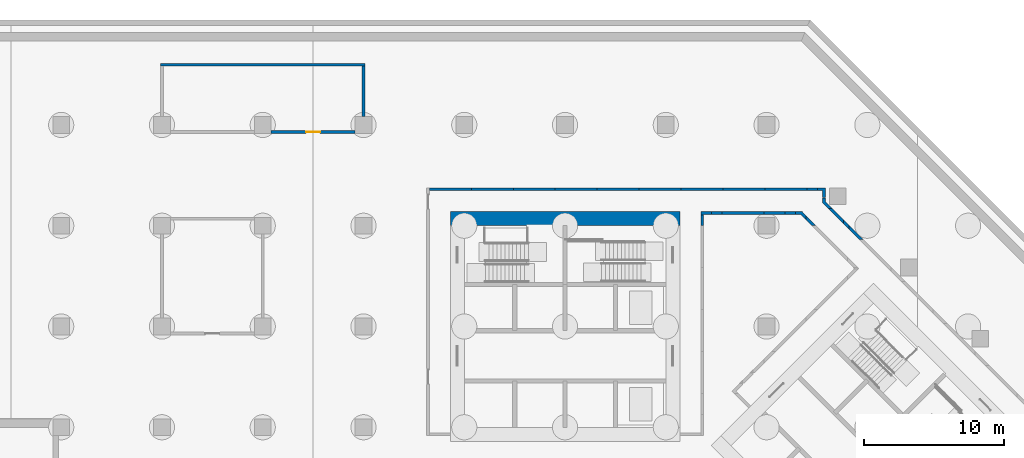
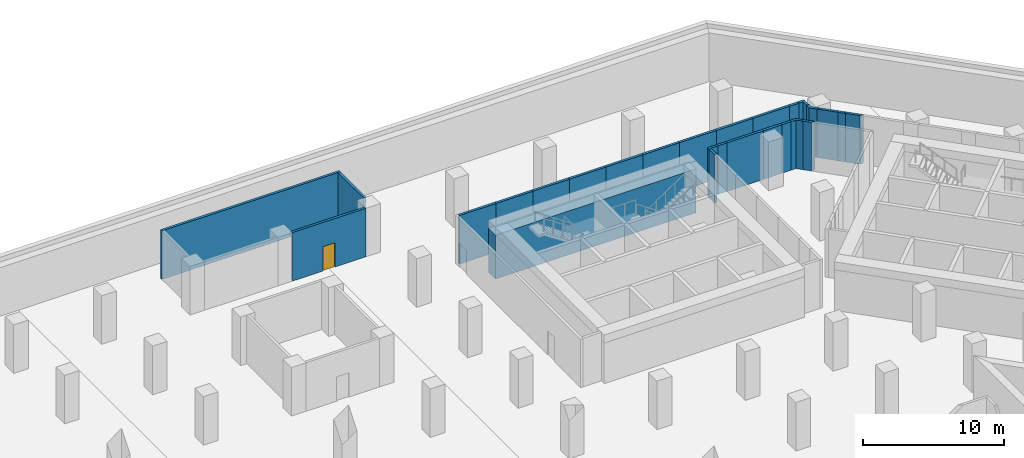
# One storey, part 9 of 12: 27 walls, 1 door, 1 opening.
"""IFC4 building model written with IfcOpenShell, lengths in metres."""

from ifc_helpers import new_model, si_unit, direction, frame, frame_2d, origin, place, context, subcontext, project, spatial, polyline, rectangle, outline, extrude, material, layer, layer_set, type_object, element, fill, save


model = new_model("IFC4")

# Units and contexts
model_context = context("Model", 3, precision=1e-05, world=origin(), true_north=direction((0.0, 1.0)))
body_context = subcontext(model_context, "Body", "Model", "MODEL_VIEW")
ifc_project = project(units=[si_unit("LENGTHUNIT", "METRE"), si_unit("AREAUNIT", "SQUARE_METRE"), si_unit("VOLUMEUNIT", "CUBIC_METRE"), si_unit("PLANEANGLEUNIT", "RADIAN"), si_unit("MASSUNIT", "GRAM", prefix="KILO")], contexts=[model_context])

# Site, building, storey
site_placement = place(None, origin())
site = spatial("IfcSite", under=ifc_project, at=site_placement, CompositionType="ELEMENT")
building_placement = place(site_placement, origin())
building = spatial("IfcBuilding", under=site, at=building_placement, Name="Windrow Commons", CompositionType="ELEMENT")
storey_placement = place(building_placement, frame((0.0, 0.0, -9.0)))
storey = spatial("IfcBuildingStorey", under=building, at=storey_placement, Name="B2", CompositionType="ELEMENT", Elevation=-9.0)

# Walls
ifc_material_1 = material(Name="Blockwork partition", Category="masonry")
ifc_layer_1 = layer(ifc_material_1, 0.2)
ifc_layer_set_1 = layer_set([ifc_layer_1], Name="CP-PART-200")
wall_type_1 = type_object("IfcWallType", Name="CP-PART-200", PredefinedType="PARTITIONING", material=ifc_layer_set_1)
placement = place(storey_placement, origin())
element("IfcWall", 1, at=placement, inside=storey, type_object=wall_type_1, Name="Escape corridor wall 01", PredefinedType="PARTITIONING", context=body_context, shape_type="SweptSolid", body=[
    extrude(outline(polyline([(55.1, 67.3), (58.1, 67.3), (58.1, 67.5), (55.1, 67.5), (55.1, 67.3)])), origin(), (0.0, 0.0, 1.0), 4.2),
])
element("IfcWall", 2, at=placement, inside=storey, type_object=wall_type_1, Name="Escape corridor wall 02", PredefinedType="PARTITIONING", context=body_context, shape_type="SweptSolid", body=[
    extrude(outline(polyline([(58.1, 67.3), (61.1, 67.3), (61.1, 67.5), (58.1, 67.5), (58.1, 67.3)])), origin(), (0.0, 0.0, 1.0), 4.2),
])
element("IfcWall", 3, at=placement, inside=storey, type_object=wall_type_1, Name="Escape corridor wall 03", PredefinedType="PARTITIONING", context=body_context, shape_type="SweptSolid", body=[
    extrude(outline(polyline([(61.1, 67.3), (64.1, 67.3), (64.1, 67.5), (61.1, 67.5), (61.1, 67.3)])), origin(), (0.0, 0.0, 1.0), 4.2),
])
element("IfcWall", 4, at=placement, inside=storey, type_object=wall_type_1, Name="Escape corridor wall 04", PredefinedType="PARTITIONING", context=body_context, shape_type="SweptSolid", body=[
    extrude(outline(polyline([(64.1, 67.3), (67.1, 67.3), (67.1, 67.5), (64.1, 67.5), (64.1, 67.3)])), origin(), (0.0, 0.0, 1.0), 4.2),
])
element("IfcWall", 5, at=placement, inside=storey, type_object=wall_type_1, Name="Escape corridor wall 05", PredefinedType="PARTITIONING", context=body_context, shape_type="SweptSolid", body=[
    extrude(outline(polyline([(67.1, 67.3), (70.1, 67.3), (70.1, 67.5), (67.1, 67.5), (67.1, 67.3)])), origin(), (0.0, 0.0, 1.0), 4.2),
])
element("IfcWall", 6, at=placement, inside=storey, type_object=wall_type_1, Name="Escape corridor wall 06", PredefinedType="PARTITIONING", context=body_context, shape_type="SweptSolid", body=[
    extrude(outline(polyline([(73.1, 67.3), (73.1, 67.5), (70.1, 67.5), (70.1, 67.3), (73.1, 67.3)])), origin(), (0.0, 0.0, 1.0), 4.2),
])
element("IfcWall", 7, at=placement, inside=storey, type_object=wall_type_1, Name="Escape corridor wall 14", PredefinedType="PARTITIONING", context=body_context, shape_type="SweptSolid", body=[
    extrude(outline(polyline([(74.7, 64.8), (74.7, 65.55), (74.5, 65.55), (74.5, 64.8), (74.7, 64.8)])), origin(), (0.0, 0.0, 1.0), 4.2),
])
element("IfcWall", 8, at=placement, inside=storey, type_object=wall_type_1, Name="Escape corridor wall 15", PredefinedType="PARTITIONING", context=body_context, shape_type="SweptSolid", body=[
    extrude(outline(polyline([(76.1, 67.3), (76.1, 67.5), (73.1, 67.5), (73.1, 67.3), (76.1, 67.3)])), origin(), (0.0, 0.0, 1.0), 4.2),
])
element("IfcWall", 9, at=placement, inside=storey, type_object=wall_type_1, Name="Escape corridor wall 16", PredefinedType="PARTITIONING", context=body_context, shape_type="SweptSolid", body=[
    extrude(outline(polyline([(74.7, 65.6), (75.25, 65.6), (75.25, 65.8), (74.5, 65.8), (74.5, 65.55), (74.7, 65.55), (74.7, 65.6)])), origin(), (0.0, 0.0, 1.0), 4.2),
])
element("IfcWall", 10, at=placement, inside=storey, type_object=wall_type_1, Name="Escape corridor wall 17", PredefinedType="PARTITIONING", context=body_context, shape_type="SweptSolid", body=[
    extrude(outline(polyline([(76.0, 65.6), (76.0, 65.8), (75.25, 65.8), (75.25, 65.6), (76.0, 65.6)])), origin(), (0.0, 0.0, 1.0), 4.2),
])
element("IfcWall", 11, at=placement, inside=storey, type_object=wall_type_1, Name="Escape corridor wall 21", PredefinedType="PARTITIONING", context=body_context, shape_type="SweptSolid", body=[
    extrude(outline(polyline([(79.0, 65.8), (76.0, 65.8), (76.0, 65.6), (79.0, 65.6), (79.0, 65.8)])), origin(), (0.0, 0.0, 1.0), 4.2),
])
element("IfcWall", 12, at=placement, inside=storey, type_object=wall_type_1, Name="Escape corridor wall 22", PredefinedType="PARTITIONING", context=body_context, shape_type="SweptSolid", body=[
    extrude(outline(polyline([(76.1, 67.3), (79.1, 67.3), (79.1, 67.5), (76.1, 67.5), (76.1, 67.3)])), origin(), (0.0, 0.0, 1.0), 4.2),
])
element("IfcWall", 13, at=placement, inside=storey, type_object=wall_type_1, Name="Escape corridor wall 27", PredefinedType="PARTITIONING", context=body_context, shape_type="SweptSolid", body=[
    extrude(outline(polyline([(79.0, 65.6), (80.5, 65.6), (80.5, 65.8), (79.0, 65.8), (79.0, 65.6)])), origin(), (0.0, 0.0, 1.0), 4.2),
])
element("IfcWall", 14, at=placement, inside=storey, type_object=wall_type_1, Name="Escape corridor wall 28", PredefinedType="PARTITIONING", context=body_context, shape_type="SweptSolid", body=[
    extrude(outline(polyline([(79.1, 67.3), (82.1, 67.3), (82.1, 67.5), (79.1, 67.5), (79.1, 67.3)])), origin(), (0.0, 0.0, 1.0), 4.2),
])
element("IfcWall", 15, at=placement, inside=storey, type_object=wall_type_1, Name="Escape corridor wall 30", PredefinedType="PARTITIONING", context=body_context, shape_type="SweptSolid", body=[
    extrude(outline(polyline([(80.5, 65.6), (81.25, 65.6), (81.25, 65.8), (80.5, 65.8), (80.5, 65.6)])), origin(), (0.0, 0.0, 1.0), 4.2),
])
element("IfcWall", 16, at=placement, inside=storey, type_object=wall_type_1, Name="Escape corridor wall 31", PredefinedType="PARTITIONING", context=body_context, shape_type="SweptSolid", body=[
    extrude(outline(polyline([(82.0, 65.523), (81.7456, 65.7775), (81.7681, 65.8), (81.25, 65.8), (81.25, 65.6), (81.6402, 65.6), (82.0, 65.2402), (82.0, 65.523)])), origin(), (0.0, 0.0, 1.0), 4.2),
])
element("IfcWall", 17, at=placement, inside=storey, type_object=wall_type_1, Name="Escape corridor wall 33", PredefinedType="PARTITIONING", context=body_context, shape_type="SweptSolid", body=[
    extrude(outline(polyline([(82.723, 64.8), (82.0, 65.523), (82.0, 65.2402), (82.4402, 64.8), (82.723, 64.8)])), origin(), (0.0, 0.0, 1.0), 4.2),
])
element("IfcWall", 18, at=placement, inside=storey, type_object=wall_type_1, Name="Escape corridor wall 34", PredefinedType="PARTITIONING", context=body_context, shape_type="SweptSolid", body=[
    extrude(outline(polyline([(82.1, 67.3), (82.85, 67.3), (82.85, 67.5), (82.1, 67.5), (82.1, 67.3)])), origin(), (0.0, 0.0, 1.0), 4.2),
])
element("IfcWall", 19, at=placement, inside=storey, type_object=wall_type_1, Name="Escape corridor wall 35", PredefinedType="PARTITIONING", context=body_context, shape_type="SweptSolid", body=[
    extrude(outline(polyline([(83.2, 67.3), (83.2, 66.8069), (83.4, 66.8069), (83.4, 67.5), (82.85, 67.5), (82.85, 67.3), (83.2, 67.3)])), origin(), (0.0, 0.0, 1.0), 4.2),
])
element("IfcWall", 20, at=placement, inside=storey, type_object=wall_type_1, Name="Escape corridor wall 36", PredefinedType="PARTITIONING", context=body_context, shape_type="SweptSolid", body=[
    extrude(outline(polyline([(83.6, 66.0444), (83.8828, 66.0444), (83.4, 66.5272), (83.4, 66.7944), (83.2, 66.7944), (83.2, 66.4444), (83.6, 66.0444)])), origin(), (0.0, 0.0, 1.0), 4.2),
])
element("IfcWall", 21, at=placement, inside=storey, type_object=wall_type_1, Name="Escape corridor wall 39", PredefinedType="PARTITIONING", context=body_context, shape_type="SweptSolid", body=[
    extrude(outline(polyline([(84.7, 65.2272), (83.8828, 66.0444), (83.6, 66.0444), (84.7, 64.9444), (84.7, 65.2272)])), origin(), (0.0, 0.0, 1.0), 4.2),
])
element("IfcWall", 22, at=placement, inside=storey, type_object=wall_type_1, Name="Escape corridor wall 40", PredefinedType="PARTITIONING", context=body_context, shape_type="SweptSolid", body=[
    extrude(outline(polyline([(85.1, 64.8272), (84.7, 65.2272), (84.7, 64.9444), (85.1, 64.5444), (85.1, 64.8272)])), origin(), (0.0, 0.0, 1.0), 4.2),
])
element("IfcWall", 23, at=placement, inside=storey, type_object=wall_type_1, Name="Escape corridor wall 43", PredefinedType="PARTITIONING", context=body_context, shape_type="SweptSolid", body=[
    extrude(outline(polyline([(86.1203, 63.8069), (85.1, 64.8272), (85.1, 64.5444), (85.8375, 63.8069), (86.1203, 63.8069)])), origin(), (0.0, 0.0, 1.0), 4.2),
])
wall_24_placement = place(storey_placement, frame((50.4, 72.6, 0.0), z_axis=(0.0, 0.0, 1.0), x_axis=(0.0, 1.0, 0.0)))
element("IfcWall", 24, at=wall_24_placement, inside=storey, type_object=wall_type_1, Name="Plant room wall 12", PredefinedType="PARTITIONING", context=body_context, shape_type="SweptSolid", body=[
    extrude(rectangle(XDim=3.6, YDim=0.2, at=frame_2d((1.8, 0.0))), origin(), (0.0, 0.0, 1.0), 4.2),
])

# Wall, opening, door
wall_25_placement = place(storey_placement, frame((43.8, 71.5, 0.0), z_axis=(0.0, 0.0, 1.0), x_axis=(1.0, 0.0, 0.0)))
wall_25 = element("IfcWall", 25, at=wall_25_placement, inside=storey, type_object=wall_type_1, Name="Plant room wall 29", PredefinedType="PARTITIONING", context=body_context, shape_type="SweptSolid", body=[
    extrude(rectangle(XDim=6.0, YDim=0.2, at=frame_2d((3.0, 0.0))), origin(), (0.0, 0.0, 1.0), 4.2),
])
opening_placement = place(wall_25_placement, frame((2.5, 0.0, 0.0)))
opening = element("IfcOpeningElement", 26, at=opening_placement, cuts=wall_25, Name="Opening B2-D56", PredefinedType="OPENING", context=body_context, shape_type="SweptSolid", body=[
    extrude(rectangle(XDim=1.0, YDim=2.1, at=frame_2d((0.5, 1.05))), frame((0.0, 0.11, 0.0), z_axis=(0.0, -1.0, 0.0), x_axis=(1.0, 0.0, 0.0)), (0.0, 0.0, 1.0), 0.22),
])
ifc_material_2 = material(Name="Steel fire door leaf", Category="steel")
door_type = type_object("IfcDoorType", Name="CP-DOOR-1000", OperationType="SINGLE_SWING_LEFT", PredefinedType="DOOR", material=ifc_material_2)
door_placement = place(opening_placement, origin())
door = element("IfcDoor", 27, at=door_placement, inside=storey, type_object=door_type, Name="D-B2-PLANT-06", OperationType="SINGLE_SWING_LEFT", OverallHeight=2.1, OverallWidth=1.0, PredefinedType="DOOR", context=body_context, shape_type="SweptSolid", body=[
    extrude(rectangle(XDim=1.0, YDim=2.1, at=frame_2d((0.5, 1.05))), frame((0.0, 0.025, 0.0), z_axis=(0.0, -1.0, 0.0), x_axis=(1.0, 0.0, 0.0)), (0.0, 0.0, 1.0), 0.05),
])
fill(opening, door)

# Walls
wall_26_placement = place(storey_placement, frame((35.9, 76.3, 0.0), z_axis=(0.0, 0.0, 1.0), x_axis=(1.0, 0.0, 0.0)))
element("IfcWall", 28, at=wall_26_placement, inside=storey, type_object=wall_type_1, Name="Plant room wall 30", PredefinedType="PARTITIONING", context=body_context, shape_type="SweptSolid", body=[
    extrude(rectangle(XDim=14.6, YDim=0.2, at=frame_2d((7.3, 0.0))), origin(), (0.0, 0.0, 1.0), 4.2),
])
ifc_material_3 = material(Name="Concrete C60/75", Category="concrete")
ifc_layer_2 = layer(ifc_material_3, 1.0)
ifc_layer_set_2 = layer_set([ifc_layer_2], Name="RC CORE WALL 1000 C60/75")
wall_type_2 = type_object("IfcWallType", Name="RC CORE WALL 1000 C60/75", PredefinedType="SHEAR", material=ifc_layer_set_2)
wall_27_placement = place(storey_placement, frame((56.6, 65.3, -0.3), z_axis=(0.0, 0.0, 1.0), x_axis=(1.0, 0.0, 0.0)))
element("IfcWall", 29, at=wall_27_placement, inside=storey, type_object=wall_type_2, Name="Core A wall outer-N", PredefinedType="SHEAR", context=body_context, shape_type="SweptSolid", body=[
    extrude(rectangle(XDim=16.4, YDim=1.0, at=frame_2d((8.2, 0.0))), origin(), (0.0, 0.0, 1.0), 3.8),
])

save(model, "model.ifc")
